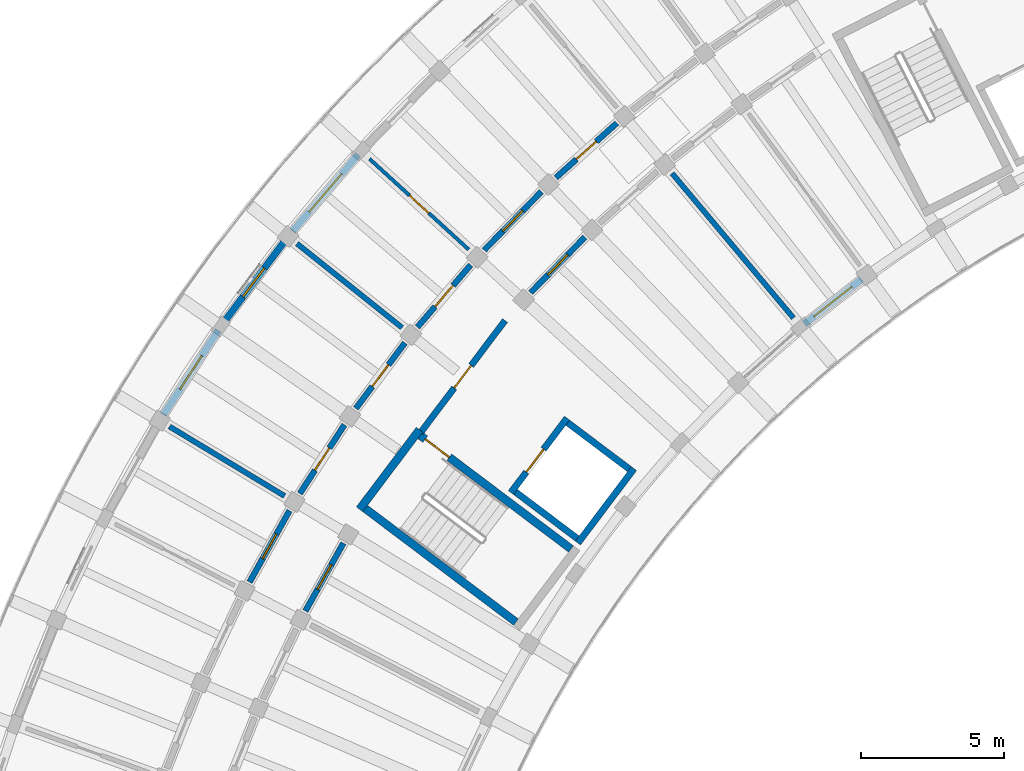
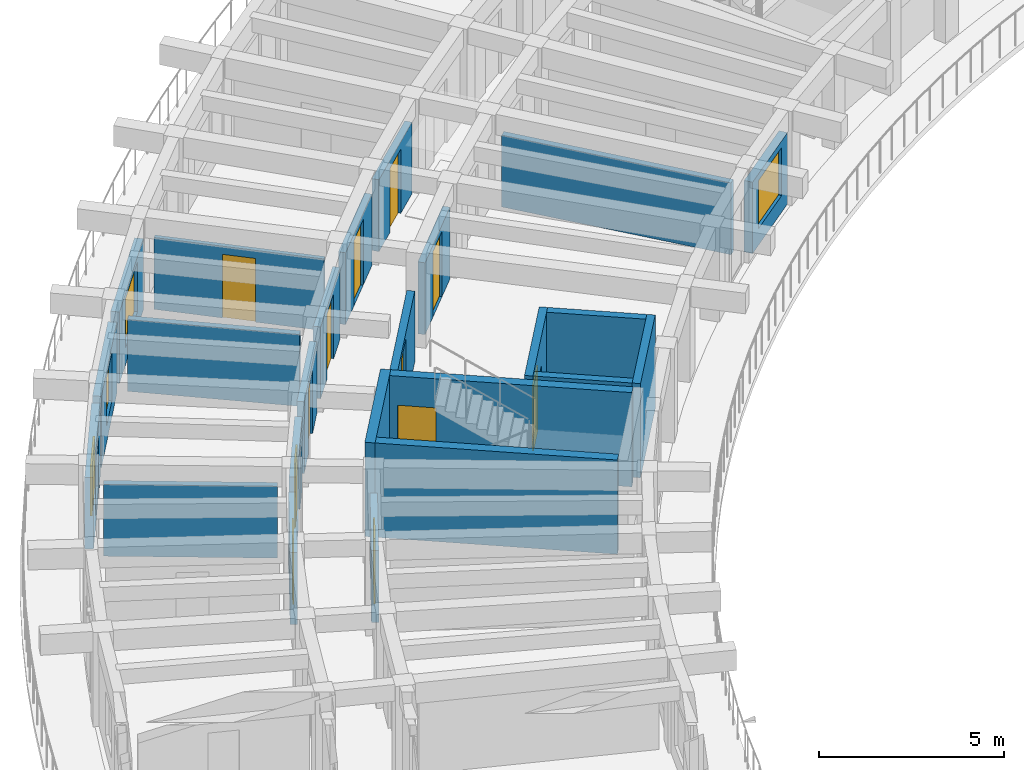
# One storey, part 47 of 81: 24 walls, 12 doors, 4 windows, 16 openings.
"""IFC4 building model written with IfcOpenShell, lengths in metres."""

from ifc_helpers import new_model, si_unit, direction, frame, frame_2d, origin, place, context, subcontext, project, spatial, rectangle, extrude, material, layer, layer_set, type_object, element, fill, save


model = new_model("IFC4")

# Units and contexts
model_context = context("Model", 3, precision=1e-05, world=origin(), true_north=direction((0.0, 1.0)))
body_context = subcontext(model_context, "Body", "Model", "MODEL_VIEW")
ifc_project = project(units=[si_unit("LENGTHUNIT", "METRE"), si_unit("AREAUNIT", "SQUARE_METRE"), si_unit("VOLUMEUNIT", "CUBIC_METRE"), si_unit("PLANEANGLEUNIT", "RADIAN"), si_unit("MASSUNIT", "GRAM", prefix="KILO")], contexts=[model_context])

# Site, building, storey
site_placement = place(None, origin())
site = spatial("IfcSite", under=ifc_project, at=site_placement, CompositionType="ELEMENT")
building_placement = place(site_placement, origin())
building = spatial("IfcBuilding", under=site, at=building_placement, Name="Tanwirah Colonnade Gardens", CompositionType="ELEMENT")
storey_placement = place(building_placement, frame((0.0, 0.0, 8.840087890625)))
storey = spatial("IfcBuildingStorey", under=building, at=storey_placement, Name="L02", CompositionType="ELEMENT", Elevation=8.840087890625)

# Wall, opening, window
ifc_material_1 = material(Name="Limestone architectural precast concrete C40/50", Category="masonry")
ifc_layer_1 = layer(ifc_material_1, 0.2451171875)
ifc_layer_set_1 = layer_set([ifc_layer_1], Name="Limestone architectural precast concrete C40/50")
wall_type_1 = type_object("IfcWallType", Name="EW-PC245", PredefinedType="SOLIDWALL", material=ifc_layer_set_1)
wall_1_placement = place(storey_placement, frame((38.541015625, 95.907958984375, 0.0), z_axis=(0.0, 0.0, 1.0), x_axis=(-0.786831325151, -0.617168101704, 0.0)))
wall_1 = element("IfcWall", 1, at=wall_1_placement, inside=storey, type_object=wall_type_1, Name="Block A L02 IN Precast Facade Wall 8", PredefinedType="SOLIDWALL", context=body_context, shape_type="SweptSolid", body=[
    extrude(rectangle(XDim=2.525390625, YDim=0.2451171875, at=frame_2d((1.2626953125, 0.0))), origin(), (0.0, 0.0, 1.0), 2.35498046875),
])
opening_1_placement = place(wall_1_placement, frame((0.422607421875, 0.0, 0.550048828125)))
opening_1 = element("IfcOpeningElement", 2, at=opening_1_placement, cuts=wall_1, Name="Opening WIN-U14", PredefinedType="OPENING", context=body_context, shape_type="SweptSolid", body=[
    extrude(rectangle(XDim=1.679931640625, YDim=1.5849609375, at=frame_2d((0.83984375, 0.79248046875))), frame((0.0, 0.132568359375, 0.0), z_axis=(0.0, -1.0, 0.0), x_axis=(1.0, 0.0, 0.0)), (0.0, 0.0, 1.0), 0.26513671875),
])
ifc_material_2 = material(Name="Thermally broken bronze aluminium and solar low-E double glazing", Category="aluminium")
window_type_1 = type_object("IfcWindowType", Name="WIN-U14", PartitioningType="DOUBLE_PANEL_VERTICAL", PredefinedType="WINDOW", material=ifc_material_2)
window_1_placement = place(opening_1_placement, origin())
window_1 = element("IfcWindow", 3, at=window_1_placement, inside=storey, type_object=window_type_1, Name="Facade window A-L02-IN-08", OverallHeight=1.5849609375, OverallWidth=1.679931640625, PartitioningType="SINGLE_PANEL", PredefinedType="WINDOW", context=body_context, shape_type="SweptSolid", body=[
    extrude(rectangle(XDim=1.679931640625, YDim=1.5849609375, at=frame_2d((0.83984375, 0.79248046875))), frame((0.0, 0.030029296875, 0.0), z_axis=(0.0, -1.0, 0.0), x_axis=(1.0, 0.0, 0.0)), (0.0, 0.0, 1.0), 0.06005859375),
])
fill(opening_1, window_1)

wall_2_placement = place(storey_placement, frame((20.9521484375, 100.267333984375, 0.0), z_axis=(0.0, 0.0, 1.0), x_axis=(-0.65016298181, -0.759794773004, 0.0)))
wall_2 = element("IfcWall", 4, at=wall_2_placement, inside=storey, type_object=wall_type_1, Name="Block A L02 OUT Precast Facade Wall 11", PredefinedType="SOLIDWALL", context=body_context, shape_type="SweptSolid", body=[
    extrude(rectangle(XDim=3.520751953125, YDim=0.2451171875, at=frame_2d((1.76025390625, 0.0))), origin(), (0.0, 0.0, 1.0), 2.35498046875),
])
opening_2_placement = place(wall_2_placement, frame((0.88037109375, 0.0, 0.550048828125)))
opening_2 = element("IfcOpeningElement", 5, at=opening_2_placement, cuts=wall_2, Name="Opening WIN-U16", PredefinedType="OPENING", context=body_context, shape_type="SweptSolid", body=[
    extrude(rectangle(XDim=1.760009765625, YDim=1.635009765625, at=frame_2d((0.8798828125, 0.8173828125))), frame((0.0, 0.132568359375, 0.0), z_axis=(0.0, -1.0, 0.0), x_axis=(1.0, 0.0, 0.0)), (0.0, 0.0, 1.0), 0.26513671875),
])
window_type_2 = type_object("IfcWindowType", Name="WIN-U16", PartitioningType="DOUBLE_PANEL_VERTICAL", PredefinedType="WINDOW", material=ifc_material_2)
window_2_placement = place(opening_2_placement, origin())
window_2 = element("IfcWindow", 6, at=window_2_placement, inside=storey, type_object=window_type_2, Name="Facade window A-L02-OUT-11", OverallHeight=1.635009765625, OverallWidth=1.760009765625, PartitioningType="SINGLE_PANEL", PredefinedType="WINDOW", context=body_context, shape_type="SweptSolid", body=[
    extrude(rectangle(XDim=1.760009765625, YDim=1.635009765625, at=frame_2d((0.8798828125, 0.8173828125))), frame((0.0, 0.030029296875, 0.0), z_axis=(0.0, -1.0, 0.0), x_axis=(1.0, 0.0, 0.0)), (0.0, 0.0, 1.0), 0.06005859375),
])
fill(opening_2, window_2)

wall_3_placement = place(storey_placement, frame((18.35693359375, 97.2099609375, 0.0), z_axis=(0.0, 0.0, 1.0), x_axis=(-0.598701122926, -0.800972512267, 0.0)))
wall_3 = element("IfcWall", 7, at=wall_3_placement, inside=storey, type_object=wall_type_1, Name="Block A L02 OUT Precast Facade Wall 12", PredefinedType="SOLIDWALL", context=body_context, shape_type="SweptSolid", body=[
    extrude(rectangle(XDim=3.520751953125, YDim=0.2451171875, at=frame_2d((1.76025390625, 0.0))), origin(), (0.0, 0.0, 1.0), 2.35498046875),
])
opening_3_placement = place(wall_3_placement, frame((1.13525390625, 0.0, 0.550048828125)))
opening_3 = element("IfcOpeningElement", 8, at=opening_3_placement, cuts=wall_3, Name="Opening WIN-T03", PredefinedType="OPENING", context=body_context, shape_type="SweptSolid", body=[
    extrude(rectangle(XDim=1.25, YDim=1.60009765625, at=frame_2d((0.625, 0.800048828125))), frame((0.0, 0.132568359375, 0.0), z_axis=(0.0, -1.0, 0.0), x_axis=(1.0, 0.0, 0.0)), (0.0, 0.0, 1.0), 0.26513671875),
])
window_type_3 = type_object("IfcWindowType", Name="WIN-T03", PartitioningType="SINGLE_PANEL", PredefinedType="WINDOW", material=ifc_material_2)
window_3_placement = place(opening_3_placement, origin())
window_3 = element("IfcWindow", 9, at=window_3_placement, inside=storey, type_object=window_type_3, Name="Facade window A-L02-OUT-12", OverallHeight=1.60009765625, OverallWidth=1.25, PartitioningType="SINGLE_PANEL", PredefinedType="WINDOW", context=body_context, shape_type="SweptSolid", body=[
    extrude(rectangle(XDim=1.25, YDim=1.60009765625, at=frame_2d((0.625, 0.800048828125))), frame((0.0, 0.030029296875, 0.0), z_axis=(0.0, -1.0, 0.0), x_axis=(1.0, 0.0, 0.0)), (0.0, 0.0, 1.0), 0.06005859375),
])
fill(opening_3, window_3)

wall_4_placement = place(storey_placement, frame((16.066162109375, 94.127685546875, 0.0), z_axis=(0.0, 0.0, 1.0), x_axis=(-0.544610510414, -0.838689091349, 0.0)))
wall_4 = element("IfcWall", 10, at=wall_4_placement, inside=storey, type_object=wall_type_1, Name="Block A L02 OUT Precast Facade Wall 13", PredefinedType="SOLIDWALL", context=body_context, shape_type="SweptSolid", body=[
    extrude(rectangle(XDim=3.520751953125, YDim=0.2451171875, at=frame_2d((1.76025390625, 0.0))), origin(), (0.0, 0.0, 1.0), 2.35498046875),
])
opening_4_placement = place(wall_4_placement, frame((1.060302734375, 0.0, 0.35009765625)))
opening_4 = element("IfcOpeningElement", 11, at=opening_4_placement, cuts=wall_4, Name="Opening WIN-T06", PredefinedType="OPENING", context=body_context, shape_type="SweptSolid", body=[
    extrude(rectangle(XDim=1.39990234375, YDim=1.64990234375, at=frame_2d((0.699951171875, 0.824951171875))), frame((0.0, 0.132568359375, 0.0), z_axis=(0.0, -1.0, 0.0), x_axis=(1.0, 0.0, 0.0)), (0.0, 0.0, 1.0), 0.26513671875),
])
window_type_4 = type_object("IfcWindowType", Name="WIN-T06", PartitioningType="DOUBLE_PANEL_VERTICAL", PredefinedType="WINDOW", material=ifc_material_2)
window_4_placement = place(opening_4_placement, origin())
window_4 = element("IfcWindow", 12, at=window_4_placement, inside=storey, type_object=window_type_4, Name="Facade window A-L02-OUT-13", OverallHeight=1.64990234375, OverallWidth=1.39990234375, PartitioningType="SINGLE_PANEL", PredefinedType="WINDOW", context=body_context, shape_type="SweptSolid", body=[
    extrude(rectangle(XDim=1.39990234375, YDim=1.64990234375, at=frame_2d((0.699951171875, 0.824951171875))), frame((0.0, 0.030029296875, 0.0), z_axis=(0.0, -1.0, 0.0), x_axis=(1.0, 0.0, 0.0)), (0.0, 0.0, 1.0), 0.06005859375),
])
fill(opening_4, window_4)

# Wall, opening, door
ifc_material_3 = material(Name="Precast concrete C40/50", Category="concrete")
ifc_layer_2 = layer(ifc_material_3, 0.205078125)
ifc_layer_set_2 = layer_set([ifc_layer_2], Name="Precast concrete C40/50")
wall_type_2 = type_object("IfcWallType", Name="IW-CORR205", PredefinedType="PARTITIONING", material=ifc_layer_set_2)
wall_5_placement = place(storey_placement, frame((29.996826171875, 101.37109375, 0.0), z_axis=(0.0, 0.0, 1.0), x_axis=(-0.744433521088, -0.667696587291, 0.0)))
wall_5 = element("IfcWall", 13, at=wall_5_placement, inside=storey, type_object=wall_type_2, Name="Block A L02 OUT Corridor Wall 9", PredefinedType="PARTITIONING", context=body_context, shape_type="SweptSolid", body=[
    extrude(rectangle(XDim=2.86328125, YDim=0.205078125, at=frame_2d((1.431640625, 0.0))), origin(), (0.0, 0.0, 1.0), 2.369873046875),
])
opening_5_placement = place(wall_5_placement, frame((0.966552734375, 0.0, 0.0)))
opening_5 = element("IfcOpeningElement", 14, at=opening_5_placement, cuts=wall_5, Name="Opening L02-AD326", PredefinedType="OPENING", context=body_context, shape_type="SweptSolid", body=[
    extrude(rectangle(XDim=0.929931640625, YDim=2.1201171875, at=frame_2d((0.46484375, 1.06005859375))), frame((0.0, 0.112548828125, 0.0), z_axis=(0.0, -1.0, 0.0), x_axis=(1.0, 0.0, 0.0)), (0.0, 0.0, 1.0), 0.22509765625),
])
ifc_material_4 = material(Name="Solid oak fire-resisting apartment entrance door")
door_type_1 = type_object("IfcDoorType", Name="ID-FLT093", OperationType="NOTDEFINED", PredefinedType="DOOR", material=ifc_material_4)
door_1_placement = place(opening_5_placement, origin())
door_1 = element("IfcDoor", 15, at=door_1_placement, inside=storey, type_object=door_type_1, Name="Apartment corridor door L02-AD326", OperationType="SINGLE_SWING_RIGHT", OverallHeight=2.1201171875, OverallWidth=0.929931640625, PredefinedType="DOOR", context=body_context, shape_type="SweptSolid", body=[
    extrude(rectangle(XDim=0.929931640625, YDim=2.1201171875, at=frame_2d((0.46484375, 1.06005859375))), frame((0.0, 0.02490234375, 0.0), z_axis=(0.0, -1.0, 0.0), x_axis=(1.0, 0.0, 0.0)), (0.0, 0.0, 1.0), 0.050048828125),
])
fill(opening_5, door_1)

wall_6_placement = place(storey_placement, frame((27.360107421875, 98.975341796875, 0.0), z_axis=(0.0, 0.0, 1.0), x_axis=(-0.698787219683, -0.715329589496, 0.0)))
wall_6 = element("IfcWall", 16, at=wall_6_placement, inside=storey, type_object=wall_type_2, Name="Block A L02 OUT Corridor Wall 10", PredefinedType="PARTITIONING", context=body_context, shape_type="SweptSolid", body=[
    extrude(rectangle(XDim=2.863037109375, YDim=0.205078125, at=frame_2d((1.431640625, 0.0))), origin(), (0.0, 0.0, 1.0), 2.369873046875),
])
opening_6_placement = place(wall_6_placement, frame((0.9365234375, 0.0, 0.0)))
opening_6 = element("IfcOpeningElement", 17, at=opening_6_placement, cuts=wall_6, Name="Opening L02-AD328", PredefinedType="OPENING", context=body_context, shape_type="SweptSolid", body=[
    extrude(rectangle(XDim=0.989990234375, YDim=2.159912109375, at=frame_2d((0.4951171875, 1.080078125))), frame((0.0, 0.112548828125, 0.0), z_axis=(0.0, -1.0, 0.0), x_axis=(1.0, 0.0, 0.0)), (0.0, 0.0, 1.0), 0.22509765625),
])
door_type_2 = type_object("IfcDoorType", Name="ID-FLT099", OperationType="NOTDEFINED", PredefinedType="DOOR", material=ifc_material_4)
door_2_placement = place(opening_6_placement, origin())
door_2 = element("IfcDoor", 18, at=door_2_placement, inside=storey, type_object=door_type_2, Name="Apartment corridor door L02-AD328", OperationType="SINGLE_SWING_LEFT", OverallHeight=2.159912109375, OverallWidth=0.989990234375, PredefinedType="DOOR", context=body_context, shape_type="SweptSolid", body=[
    extrude(rectangle(XDim=0.989990234375, YDim=2.159912109375, at=frame_2d((0.4951171875, 1.080078125))), frame((0.0, 0.02490234375, 0.0), z_axis=(0.0, -1.0, 0.0), x_axis=(1.0, 0.0, 0.0)), (0.0, 0.0, 1.0), 0.050048828125),
])
fill(opening_6, door_2)

wall_7_placement = place(storey_placement, frame((28.88232421875, 97.38671875, 0.0), z_axis=(0.0, 0.0, 1.0), x_axis=(-0.698840007829, -0.715278018296, 0.0)))
wall_7 = element("IfcWall", 19, at=wall_7_placement, inside=storey, type_object=wall_type_2, Name="Block A L02 IN Corridor Wall 10", PredefinedType="PARTITIONING", context=body_context, shape_type="SweptSolid", body=[
    extrude(rectangle(XDim=2.718017578125, YDim=0.205078125, at=frame_2d((1.35888671875, 0.0))), origin(), (0.0, 0.0, 1.0), 2.369873046875),
])
opening_7_placement = place(wall_7_placement, frame((0.864013671875, 0.0, 0.0)))
opening_7 = element("IfcOpeningElement", 20, at=opening_7_placement, cuts=wall_7, Name="Opening L02-AD329", PredefinedType="OPENING", context=body_context, shape_type="SweptSolid", body=[
    extrude(rectangle(XDim=0.989990234375, YDim=2.159912109375, at=frame_2d((0.4951171875, 1.080078125))), frame((0.0, 0.112548828125, 0.0), z_axis=(0.0, -1.0, 0.0), x_axis=(1.0, 0.0, 0.0)), (0.0, 0.0, 1.0), 0.22509765625),
])
door_3_placement = place(opening_7_placement, origin())
door_3 = element("IfcDoor", 21, at=door_3_placement, inside=storey, type_object=door_type_2, Name="Apartment corridor door L02-AD329", OperationType="SINGLE_SWING_RIGHT", OverallHeight=2.159912109375, OverallWidth=0.989990234375, PredefinedType="DOOR", context=body_context, shape_type="SweptSolid", body=[
    extrude(rectangle(XDim=0.989990234375, YDim=2.159912109375, at=frame_2d((0.4951171875, 1.080078125))), frame((0.0, 0.02490234375, 0.0), z_axis=(0.0, -1.0, 0.0), x_axis=(1.0, 0.0, 0.0)), (0.0, 0.0, 1.0), 0.050048828125),
])
fill(opening_7, door_3)

wall_8_placement = place(storey_placement, frame((24.88720703125, 96.4111328125, 0.0), z_axis=(0.0, 0.0, 1.0), x_axis=(-0.650194272684, -0.759767996015, 0.0)))
wall_8 = element("IfcWall", 22, at=wall_8_placement, inside=storey, type_object=wall_type_2, Name="Block A L02 OUT Corridor Wall 11", PredefinedType="PARTITIONING", context=body_context, shape_type="SweptSolid", body=[
    extrude(rectangle(XDim=2.863037109375, YDim=0.205078125, at=frame_2d((1.431640625, 0.0))), origin(), (0.0, 0.0, 1.0), 2.369873046875),
])
opening_8_placement = place(wall_8_placement, frame((0.946533203125, 0.0, 0.0)))
opening_8 = element("IfcOpeningElement", 23, at=opening_8_placement, cuts=wall_8, Name="Opening L02-AD331", PredefinedType="OPENING", context=body_context, shape_type="SweptSolid", body=[
    extrude(rectangle(XDim=0.969970703125, YDim=2.14990234375, at=frame_2d((0.48486328125, 1.074951171875))), frame((0.0, 0.112548828125, 0.0), z_axis=(0.0, -1.0, 0.0), x_axis=(1.0, 0.0, 0.0)), (0.0, 0.0, 1.0), 0.22509765625),
])
door_type_3 = type_object("IfcDoorType", Name="ID-FLT097", OperationType="NOTDEFINED", PredefinedType="DOOR", material=ifc_material_4)
door_4_placement = place(opening_8_placement, origin())
door_4 = element("IfcDoor", 24, at=door_4_placement, inside=storey, type_object=door_type_3, Name="Apartment corridor door L02-AD331", OperationType="SINGLE_SWING_RIGHT", OverallHeight=2.14990234375, OverallWidth=0.969970703125, PredefinedType="DOOR", context=body_context, shape_type="SweptSolid", body=[
    extrude(rectangle(XDim=0.969970703125, YDim=2.14990234375, at=frame_2d((0.48486328125, 1.074951171875))), frame((0.0, 0.02490234375, 0.0), z_axis=(0.0, -1.0, 0.0), x_axis=(1.0, 0.0, 0.0)), (0.0, 0.0, 1.0), 0.050048828125),
])
fill(opening_8, door_4)

wall_9_placement = place(storey_placement, frame((22.588623046875, 93.689453125, 0.0), z_axis=(0.0, 0.0, 1.0), x_axis=(-0.598757763243, -0.800930172335, 0.0)))
wall_9 = element("IfcWall", 25, at=wall_9_placement, inside=storey, type_object=wall_type_2, Name="Block A L02 OUT Corridor Wall 12", PredefinedType="PARTITIONING", context=body_context, shape_type="SweptSolid", body=[
    extrude(rectangle(XDim=2.86328125, YDim=0.205078125, at=frame_2d((1.431640625, 0.0))), origin(), (0.0, 0.0, 1.0), 2.369873046875),
])
opening_9_placement = place(wall_9_placement, frame((0.95654296875, 0.0, 0.0)))
opening_9 = element("IfcOpeningElement", 26, at=opening_9_placement, cuts=wall_9, Name="Opening L02-AD332", PredefinedType="OPENING", context=body_context, shape_type="SweptSolid", body=[
    extrude(rectangle(XDim=0.949951171875, YDim=2.1298828125, at=frame_2d((0.47509765625, 1.06494140625))), frame((0.0, 0.112548828125, 0.0), z_axis=(0.0, -1.0, 0.0), x_axis=(1.0, 0.0, 0.0)), (0.0, 0.0, 1.0), 0.22509765625),
])
door_type_4 = type_object("IfcDoorType", Name="ID-FLT095", OperationType="NOTDEFINED", PredefinedType="DOOR", material=ifc_material_4)
door_5_placement = place(opening_9_placement, origin())
door_5 = element("IfcDoor", 27, at=door_5_placement, inside=storey, type_object=door_type_4, Name="Apartment corridor door L02-AD332", OperationType="SINGLE_SWING_LEFT", OverallHeight=2.1298828125, OverallWidth=0.949951171875, PredefinedType="DOOR", context=body_context, shape_type="SweptSolid", body=[
    extrude(rectangle(XDim=0.949951171875, YDim=2.1298828125, at=frame_2d((0.47509765625, 1.06494140625))), frame((0.0, 0.02490234375, 0.0), z_axis=(0.0, -1.0, 0.0), x_axis=(1.0, 0.0, 0.0)), (0.0, 0.0, 1.0), 0.050048828125),
])
fill(opening_9, door_5)

wall_10_placement = place(storey_placement, frame((20.47412109375, 90.822265625, 0.0), z_axis=(0.0, 0.0, 1.0), x_axis=(-0.544643612649, -0.838667595178, 0.0)))
wall_10 = element("IfcWall", 28, at=wall_10_placement, inside=storey, type_object=wall_type_2, Name="Block A L02 OUT Corridor Wall 13", PredefinedType="PARTITIONING", context=body_context, shape_type="SweptSolid", body=[
    extrude(rectangle(XDim=2.863037109375, YDim=0.205078125, at=frame_2d((1.431640625, 0.0))), origin(), (0.0, 0.0, 1.0), 2.369873046875),
])
opening_10_placement = place(wall_10_placement, frame((0.966552734375, 0.0, 0.0)))
opening_10 = element("IfcOpeningElement", 29, at=opening_10_placement, cuts=wall_10, Name="Opening L02-AD333", PredefinedType="OPENING", context=body_context, shape_type="SweptSolid", body=[
    extrude(rectangle(XDim=0.929931640625, YDim=2.1201171875, at=frame_2d((0.46484375, 1.06005859375))), frame((0.0, 0.112548828125, 0.0), z_axis=(0.0, -1.0, 0.0), x_axis=(1.0, 0.0, 0.0)), (0.0, 0.0, 1.0), 0.22509765625),
])
door_6_placement = place(opening_10_placement, origin())
door_6 = element("IfcDoor", 30, at=door_6_placement, inside=storey, type_object=door_type_1, Name="Apartment corridor door L02-AD333", OperationType="SINGLE_SWING_RIGHT", OverallHeight=2.1201171875, OverallWidth=0.929931640625, PredefinedType="DOOR", context=body_context, shape_type="SweptSolid", body=[
    extrude(rectangle(XDim=0.929931640625, YDim=2.1201171875, at=frame_2d((0.46484375, 1.06005859375))), frame((0.0, 0.02490234375, 0.0), z_axis=(0.0, -1.0, 0.0), x_axis=(1.0, 0.0, 0.0)), (0.0, 0.0, 1.0), 0.050048828125),
])
fill(opening_10, door_6)

wall_11_placement = place(storey_placement, frame((18.55322265625, 87.822021484375, 0.0), z_axis=(0.0, 0.0, 1.0), x_axis=(-0.488211211273, -0.872725508501, 0.0)))
wall_11 = element("IfcWall", 31, at=wall_11_placement, inside=storey, type_object=wall_type_2, Name="Block A L02 OUT Corridor Wall 14", PredefinedType="PARTITIONING", context=body_context, shape_type="SweptSolid", body=[
    extrude(rectangle(XDim=2.86279296875, YDim=0.205078125, at=frame_2d((1.431396484375, 0.0))), origin(), (0.0, 0.0, 1.0), 2.369873046875),
])
opening_11_placement = place(wall_11_placement, frame((0.9365234375, 0.0, 0.0)))
opening_11 = element("IfcOpeningElement", 32, at=opening_11_placement, cuts=wall_11, Name="Opening L02-AD334", PredefinedType="OPENING", context=body_context, shape_type="SweptSolid", body=[
    extrude(rectangle(XDim=0.989990234375, YDim=2.159912109375, at=frame_2d((0.4951171875, 1.080078125))), frame((0.0, 0.112548828125, 0.0), z_axis=(0.0, -1.0, 0.0), x_axis=(1.0, 0.0, 0.0)), (0.0, 0.0, 1.0), 0.22509765625),
])
door_7_placement = place(opening_11_placement, origin())
door_7 = element("IfcDoor", 33, at=door_7_placement, inside=storey, type_object=door_type_2, Name="Apartment corridor door L02-AD334", OperationType="SINGLE_SWING_LEFT", OverallHeight=2.159912109375, OverallWidth=0.989990234375, PredefinedType="DOOR", context=body_context, shape_type="SweptSolid", body=[
    extrude(rectangle(XDim=0.989990234375, YDim=2.159912109375, at=frame_2d((0.4951171875, 1.080078125))), frame((0.0, 0.02490234375, 0.0), z_axis=(0.0, -1.0, 0.0), x_axis=(1.0, 0.0, 0.0)), (0.0, 0.0, 1.0), 0.050048828125),
])
fill(opening_11, door_7)

wall_12_placement = place(storey_placement, frame((20.436767578125, 86.685302734375, 0.0), z_axis=(0.0, 0.0, 1.0), x_axis=(-0.48819576874, -0.872734147025, 0.0)))
wall_12 = element("IfcWall", 34, at=wall_12_placement, inside=storey, type_object=wall_type_2, Name="Block A L02 IN Corridor Wall 14", PredefinedType="PARTITIONING", context=body_context, shape_type="SweptSolid", body=[
    extrude(rectangle(XDim=2.718017578125, YDim=0.205078125, at=frame_2d((1.35888671875, 0.0))), origin(), (0.0, 0.0, 1.0), 2.369873046875),
])
opening_12_placement = place(wall_12_placement, frame((0.864013671875, 0.0, 0.0)))
opening_12 = element("IfcOpeningElement", 35, at=opening_12_placement, cuts=wall_12, Name="Opening L02-AD335", PredefinedType="OPENING", context=body_context, shape_type="SweptSolid", body=[
    extrude(rectangle(XDim=0.989990234375, YDim=2.159912109375, at=frame_2d((0.4951171875, 1.080078125))), frame((0.0, 0.112548828125, 0.0), z_axis=(0.0, -1.0, 0.0), x_axis=(1.0, 0.0, 0.0)), (0.0, 0.0, 1.0), 0.22509765625),
])
door_8_placement = place(opening_12_placement, origin())
door_8 = element("IfcDoor", 36, at=door_8_placement, inside=storey, type_object=door_type_2, Name="Apartment corridor door L02-AD335", OperationType="SINGLE_SWING_RIGHT", OverallHeight=2.159912109375, OverallWidth=0.989990234375, PredefinedType="DOOR", context=body_context, shape_type="SweptSolid", body=[
    extrude(rectangle(XDim=0.989990234375, YDim=2.159912109375, at=frame_2d((0.4951171875, 1.080078125))), frame((0.0, 0.02490234375, 0.0), z_axis=(0.0, -1.0, 0.0), x_axis=(1.0, 0.0, 0.0)), (0.0, 0.0, 1.0), 0.050048828125),
])
fill(opening_12, door_8)

# Walls
ifc_layer_3 = layer(ifc_material_3, 0.18505859375)
ifc_layer_set_3 = layer_set([ifc_layer_3], Name="Precast concrete C40/50")
wall_type_3 = type_object("IfcWallType", Name="IW-DEM185", PredefinedType="PARTITIONING", material=ifc_layer_set_3)
wall_13_placement = place(storey_placement, frame((36.1708984375, 94.55712890625, 0.0), z_axis=(0.0, 0.0, 1.0), x_axis=(-0.642789470807, 0.766042881449, 0.0)))
element("IfcWall", 37, at=wall_13_placement, inside=storey, type_object=wall_type_3, Name="Block A L02 Inner Radial Partition 8", PredefinedType="PARTITIONING", context=body_context, shape_type="SweptSolid", body=[
    extrude(rectangle(XDim=6.60009765625, YDim=0.18505859375, at=frame_2d((3.300048828125, 0.0))), origin(), (0.0, 0.0, 1.0), 2.369873046875),
])
wall_14_placement = place(storey_placement, frame((22.48583984375, 94.2197265625, 0.0), z_axis=(0.0, 0.0, 1.0), x_axis=(-0.780807994362, 0.624771058821, 0.0)))
element("IfcWall", 38, at=wall_14_placement, inside=storey, type_object=wall_type_3, Name="Block A L02 Radial Partition 11", PredefinedType="PARTITIONING", context=body_context, shape_type="SweptSolid", body=[
    extrude(rectangle(XDim=4.7001953125, YDim=0.18505859375, at=frame_2d((2.35009765625, 0.0))), origin(), (0.0, 0.0, 1.0), 2.369873046875),
])
wall_15_placement = place(storey_placement, frame((18.381591796875, 88.334228515625, 0.0), z_axis=(0.0, 0.0, 1.0), x_axis=(-0.856165473929, 0.516701733356, 0.0)))
element("IfcWall", 39, at=wall_15_placement, inside=storey, type_object=wall_type_3, Name="Block A L02 Radial Partition 13", PredefinedType="PARTITIONING", context=body_context, shape_type="SweptSolid", body=[
    extrude(rectangle(XDim=4.699951171875, YDim=0.18505859375, at=frame_2d((2.35009765625, 0.0))), origin(), (0.0, 0.0, 1.0), 2.369873046875),
])

# Wall, opening, door
ifc_material_5 = material(Name="Autoclaved aerated masonry blockwork", Category="masonry")
ifc_layer_4 = layer(ifc_material_5, 0.219970703125)
ifc_layer_set_4 = layer_set([ifc_layer_4], Name="Autoclaved aerated masonry blockwork")
wall_type_4 = type_object("IfcWallType", Name="IW-FFL220", PredefinedType="PARTITIONING", material=ifc_layer_set_4)
wall_16_placement = place(storey_placement, frame((23.138916015625, 90.55517578125, 0.0), z_axis=(0.0, 0.0, 1.0), x_axis=(0.601792209296, 0.79865270101, 0.0)))
wall_16 = element("IfcWall", 40, at=wall_16_placement, inside=storey, type_object=wall_type_4, Name="CORE-A2 L02 Enclosed Lobby Fire Wall", PredefinedType="PARTITIONING", context=body_context, shape_type="SweptSolid", body=[
    extrude(rectangle(XDim=4.89990234375, YDim=0.219970703125, at=frame_2d((2.449951171875, 0.0))), origin(), (0.0, 0.0, 1.0), 2.33984375),
])
opening_13_placement = place(wall_16_placement, frame((1.949951171875, 0.0, 0.0)))
opening_13 = element("IfcOpeningElement", 41, at=opening_13_placement, cuts=wall_16, Name="Opening L02-LD052", PredefinedType="OPENING", context=body_context, shape_type="SweptSolid", body=[
    extrude(rectangle(XDim=0.97998046875, YDim=2.139892578125, at=frame_2d((0.489990234375, 1.06982421875))), frame((0.0, 0.119873046875, 0.0), z_axis=(0.0, -1.0, 0.0), x_axis=(1.0, 0.0, 0.0)), (0.0, 0.0, 1.0), 0.239990234375),
])
ifc_material_6 = material(Name="Acoustic fire-resisting lobby door")
door_type_5 = type_object("IfcDoorType", Name="ID-FFL098", OperationType="NOTDEFINED", PredefinedType="DOOR", material=ifc_material_6)
door_9_placement = place(opening_13_placement, origin())
door_9 = element("IfcDoor", 42, at=door_9_placement, inside=storey, type_object=door_type_5, Name="CORE-A2 L02 Lobby Fire Door L02-LD052", OperationType="SINGLE_SWING_LEFT", OverallHeight=2.139892578125, OverallWidth=0.97998046875, PredefinedType="DOOR", context=body_context, shape_type="SweptSolid", body=[
    extrude(rectangle(XDim=0.97998046875, YDim=2.139892578125, at=frame_2d((0.489990234375, 1.06982421875))), frame((0.0, 0.02490234375, 0.0), z_axis=(0.0, -1.0, 0.0), x_axis=(1.0, 0.0, 0.0)), (0.0, 0.0, 1.0), 0.050048828125),
])
fill(opening_13, door_9)

ifc_material_7 = material(Name="Moisture-resistant gypsum stud partition")
ifc_layer_5 = layer(ifc_material_7, 0.125)
ifc_layer_set_5 = layer_set([ifc_layer_5], Name="Moisture-resistant gypsum stud partition")
wall_type_5 = type_object("IfcWallType", Name="IW-INT125", PredefinedType="PARTITIONING", material=ifc_layer_set_5)
wall_17_placement = place(storey_placement, frame((24.819580078125, 96.947021484375, 0.0), z_axis=(0.0, 0.0, 1.0), x_axis=(-0.737934199263, 0.674872667663, 0.0)))
wall_17 = element("IfcWall", 43, at=wall_17_placement, inside=storey, type_object=wall_type_5, Name="Block A L02 Radial Partition 10", PredefinedType="PARTITIONING", context=body_context, shape_type="SweptSolid", body=[
    extrude(rectangle(XDim=4.699951171875, YDim=0.125, at=frame_2d((2.35009765625, 0.0))), origin(), (0.0, 0.0, 1.0), 2.369873046875),
])
opening_14_placement = place(wall_17_placement, frame((1.89501953125, 0.0, 0.0)))
opening_14 = element("IfcOpeningElement", 44, at=opening_14_placement, cuts=wall_17, Name="Opening L02-RD330", PredefinedType="OPENING", context=body_context, shape_type="SweptSolid", body=[
    extrude(rectangle(XDim=0.909912109375, YDim=2.10009765625, at=frame_2d((0.455078125, 1.050048828125))), frame((0.0, 0.072509765625, 0.0), z_axis=(0.0, -1.0, 0.0), x_axis=(1.0, 0.0, 0.0)), (0.0, 0.0, 1.0), 0.14501953125),
])
ifc_material_8 = material(Name="Painted hardwood internal room door", Category="wood")
door_type_6 = type_object("IfcDoorType", Name="ID-RM091", OperationType="NOTDEFINED", PredefinedType="DOOR", material=ifc_material_8)
door_10_placement = place(opening_14_placement, origin())
door_10 = element("IfcDoor", 45, at=door_10_placement, inside=storey, type_object=door_type_6, Name="Internal apartment door L02-RD330", OperationType="SINGLE_SWING_LEFT", OverallHeight=2.10009765625, OverallWidth=0.909912109375, PredefinedType="DOOR", context=body_context, shape_type="SweptSolid", body=[
    extrude(rectangle(XDim=0.909912109375, YDim=2.10009765625, at=frame_2d((0.455078125, 1.050048828125))), frame((0.0, 0.02490234375, 0.0), z_axis=(0.0, -1.0, 0.0), x_axis=(1.0, 0.0, 0.0)), (0.0, 0.0, 1.0), 0.050048828125),
])
fill(opening_14, door_10)

# Walls
ifc_material_9 = material(Name="Concrete C45/55", Category="concrete")
ifc_layer_6 = layer(ifc_material_9, 0.280029296875)
ifc_layer_set_6 = layer_set([ifc_layer_6], Name="Concrete C45/55")
wall_type_6 = type_object("IfcWallType", Name="SW-CORE280", PredefinedType="SHEAR", material=ifc_layer_set_6)
wall_18_placement = place(storey_placement, frame((21.19873046875, 87.8974609375, 0.0), z_axis=(0.0, 0.0, 1.0), x_axis=(0.798639633744, -0.601809550782, 0.0)))
element("IfcWall", 46, at=wall_18_placement, inside=storey, type_object=wall_type_6, Name="CORE-A2 L02 Stair Shaft Shear Wall LEFT", PredefinedType="SHEAR", context=body_context, shape_type="SweptSolid", body=[
    extrude(rectangle(XDim=6.599853515625, YDim=0.280029296875, at=frame_2d((3.2998046875, 0.0))), origin(), (0.0, 0.0, 1.0), 3.10986328125),
])
wall_19_placement = place(storey_placement, frame((21.002685546875, 87.869873046875, 0.0), z_axis=(0.0, 0.0, 1.0), x_axis=(0.601794470585, 0.798650997102, 0.0)))
element("IfcWall", 47, at=wall_19_placement, inside=storey, type_object=wall_type_6, Name="CORE-A2 L02 Stair Shaft Shear Wall NEAR", PredefinedType="SHEAR", context=body_context, shape_type="SweptSolid", body=[
    extrude(rectangle(XDim=3.47998046875, YDim=0.280029296875, at=frame_2d((1.739990234375, 0.0))), origin(), (0.0, 0.0, 1.0), 3.10986328125),
])

# Wall, opening, door
wall_20_placement = place(storey_placement, frame((23.12451171875, 90.453125, 0.0), z_axis=(0.0, 0.0, 1.0), x_axis=(0.798639633744, -0.601809550782, 0.0)))
wall_20 = element("IfcWall", 48, at=wall_20_placement, inside=storey, type_object=wall_type_6, Name="CORE-A2 L02 Stair Shaft Shear Wall RIGHT", PredefinedType="SHEAR", context=body_context, shape_type="SweptSolid", body=[
    extrude(rectangle(XDim=6.599853515625, YDim=0.280029296875, at=frame_2d((3.2998046875, 0.0))), origin(), (0.0, 0.0, 1.0), 3.10986328125),
])
opening_15_placement = place(wall_20_placement, frame((0.219970703125, 0.0, 0.0)))
opening_15 = element("IfcOpeningElement", 49, at=opening_15_placement, cuts=wall_20, Name="Opening L02-SD036", PredefinedType="OPENING", context=body_context, shape_type="SweptSolid", body=[
    extrude(rectangle(XDim=1.050048828125, YDim=2.14990234375, at=frame_2d((0.52490234375, 1.074951171875))), frame((0.0, 0.14990234375, 0.0), z_axis=(0.0, -1.0, 0.0), x_axis=(1.0, 0.0, 0.0)), (0.0, 0.0, 1.0), 0.300048828125),
])
ifc_material_10 = material(Name="Steel fire-resisting stair enclosure door", Category="steel")
door_type_7 = type_object("IfcDoorType", Name="ID-ST105", OperationType="NOTDEFINED", PredefinedType="DOOR", material=ifc_material_10)
door_11_placement = place(opening_15_placement, origin())
door_11 = element("IfcDoor", 50, at=door_11_placement, inside=storey, type_object=door_type_7, Name="CORE-A2 L02 Stair Fire Door L02-SD036", OperationType="SINGLE_SWING_LEFT", OverallHeight=2.14990234375, OverallWidth=1.050048828125, PredefinedType="DOOR", context=body_context, shape_type="SweptSolid", body=[
    extrude(rectangle(XDim=1.050048828125, YDim=2.14990234375, at=frame_2d((0.52490234375, 1.074951171875))), frame((0.0, 0.02490234375, 0.0), z_axis=(0.0, -1.0, 0.0), x_axis=(1.0, 0.0, 0.0)), (0.0, 0.0, 1.0), 0.050048828125),
])
fill(opening_15, door_11)

ifc_layer_7 = layer(ifc_material_9, 0.22998046875)
ifc_layer_set_7 = layer_set([ifc_layer_7], Name="Concrete C45/55")
wall_type_7 = type_object("IfcWallType", Name="SW-LIFT230", PredefinedType="SHEAR", material=ifc_layer_set_7)
wall_21_placement = place(storey_placement, frame((26.2939453125, 88.452880859375, 0.0), z_axis=(0.0, 0.0, 1.0), x_axis=(0.601819781152, 0.798631924615, 0.0)))
wall_21 = element("IfcWall", 51, at=wall_21_placement, inside=storey, type_object=wall_type_7, Name="CORE-A2 L02 Lift Shaft Wall FRONT", PredefinedType="SHEAR", context=body_context, shape_type="SweptSolid", body=[
    extrude(rectangle(XDim=3.260009765625, YDim=0.22998046875, at=frame_2d((1.6298828125, 0.0))), origin(), (0.0, 0.0, 1.0), 3.10986328125),
])
opening_16_placement = place(wall_21_placement, frame((0.89990234375, 0.0, 0.0)))
opening_16 = element("IfcOpeningElement", 52, at=opening_16_placement, cuts=wall_21, Name="Opening L02-LD-PL-A2", PredefinedType="OPENING", context=body_context, shape_type="SweptSolid", body=[
    extrude(rectangle(XDim=1.0, YDim=2.14990234375, at=frame_2d((0.5, 1.074951171875))), frame((0.0, 0.125, 0.0), z_axis=(0.0, -1.0, 0.0), x_axis=(1.0, 0.0, 0.0)), (0.0, 0.0, 1.0), 0.25),
])
ifc_material_11 = material(Name="Bronze stainless steel sliding lift landing door", Category="steel")
door_type_8 = type_object("IfcDoorType", Name="LD-PS10", OperationType="DOUBLE_DOOR_SLIDING", PredefinedType="DOOR", material=ifc_material_11)
door_12_placement = place(opening_16_placement, origin())
door_12 = element("IfcDoor", 53, at=door_12_placement, inside=storey, type_object=door_type_8, Name="Lift PL-A2 L02 Sliding Landing Door", OperationType="DOUBLE_DOOR_SLIDING", OverallHeight=2.14990234375, OverallWidth=1.0, PredefinedType="DOOR", context=body_context, shape_type="SweptSolid", body=[
    extrude(rectangle(XDim=1.0, YDim=2.14990234375, at=frame_2d((0.5, 1.074951171875))), frame((0.0, 0.02490234375, 0.0), z_axis=(0.0, -1.0, 0.0), x_axis=(1.0, 0.0, 0.0)), (0.0, 0.0, 1.0), 0.050048828125),
])
fill(opening_16, door_12)

# Walls
wall_22_placement = place(storey_placement, frame((28.634033203125, 86.689697265625, 0.0), z_axis=(0.0, 0.0, 1.0), x_axis=(0.601819781152, 0.798631924615, 0.0)))
element("IfcWall", 54, at=wall_22_placement, inside=storey, type_object=wall_type_7, Name="CORE-A2 L02 Lift Shaft Wall BACK", PredefinedType="SHEAR", context=body_context, shape_type="SweptSolid", body=[
    extrude(rectangle(XDim=3.260009765625, YDim=0.22998046875, at=frame_2d((1.6298828125, 0.0))), origin(), (0.0, 0.0, 1.0), 3.10986328125),
])
for number, where, z_axis, x_axis, name in (
    (55, (26.455078125, 88.4755859375, 0.0), (0.0, 0.0, 1.0), (0.798608971494, -0.601850239387, 0.0), "CORE-A2 L02 Lift Shaft Wall SIDEA"),
    (56, (28.278564453125, 90.8955078125, 0.0), (0.0, 0.0, 1.0), (0.798608971494, -0.601850239387, 0.0), "CORE-A2 L02 Lift Shaft Wall SIDEB"),
):
    element("IfcWall", number, at=place(storey_placement, frame(where, z_axis=z_axis, x_axis=x_axis)), inside=storey, type_object=wall_type_7, Name=name, PredefinedType="SHEAR", context=body_context, shape_type="SweptSolid", body=[
        extrude(rectangle(XDim=2.699951171875, YDim=0.22998046875, at=frame_2d((1.35009765625, 0.0))), origin(), (0.0, 0.0, 1.0), 3.10986328125),
    ])

save(model, "model.ifc")
